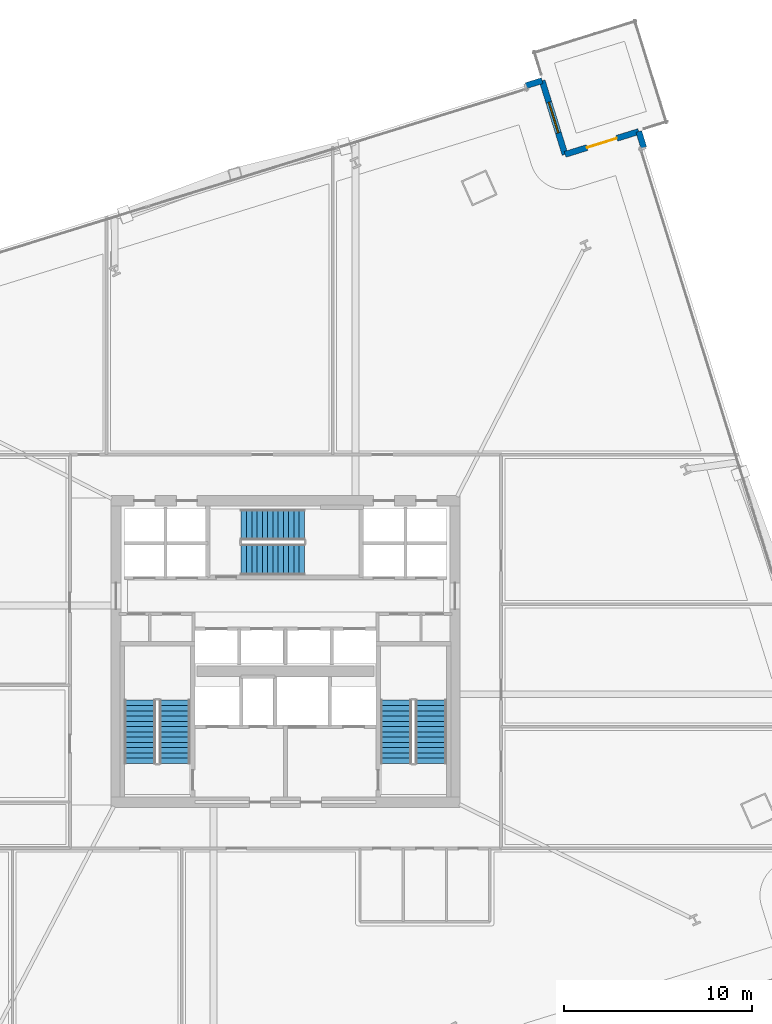
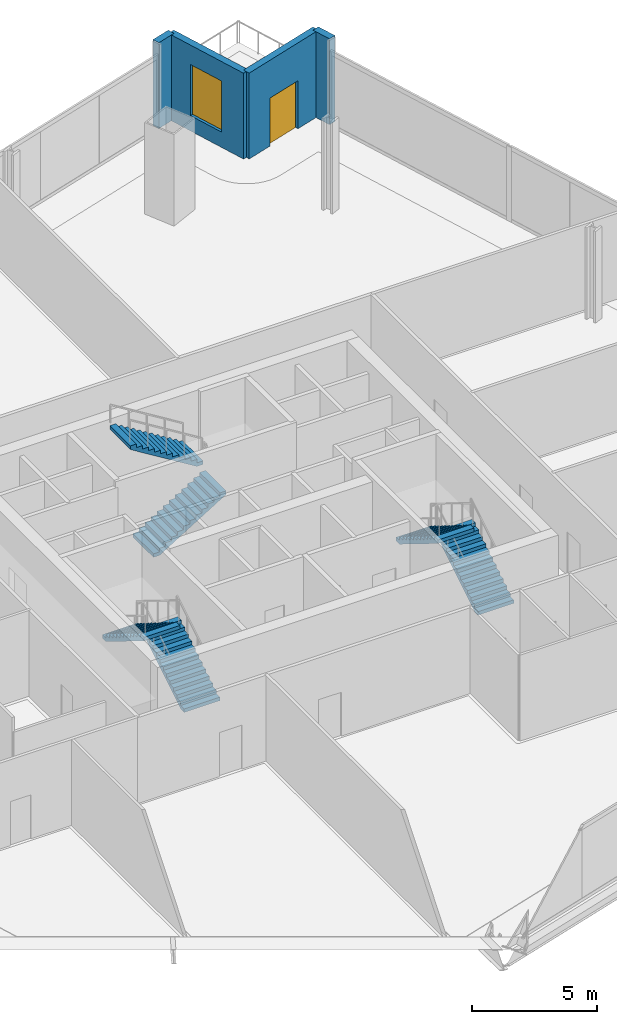
# One storey, part 19 of 26: 6 stair flights, 4 walls, 1 door, 1 window, 2 openings, 3 elements without a shape of their own.
"""IFC4 building model written with IfcOpenShell, lengths in metres."""

from ifc_helpers import new_model, si_unit, direction, frame, frame_2d, origin, place, context, subcontext, project, spatial, polyline, rectangle, outline, extrude, material, layer, layer_set, type_object, element, fill, aggregate, save


model = new_model("IFC4")

# Units and contexts
model_context = context("Model", 3, precision=1e-05, world=origin(), true_north=direction((0.0, 1.0)))
body_context = subcontext(model_context, "Body", "Model", "MODEL_VIEW")
ifc_project = project(units=[si_unit("LENGTHUNIT", "METRE"), si_unit("AREAUNIT", "SQUARE_METRE"), si_unit("VOLUMEUNIT", "CUBIC_METRE"), si_unit("PLANEANGLEUNIT", "RADIAN"), si_unit("MASSUNIT", "GRAM", prefix="KILO")], contexts=[model_context])

# Site, building, storey
site_placement = place(None, origin())
site = spatial("IfcSite", under=ifc_project, at=site_placement, CompositionType="ELEMENT")
building_placement = place(site_placement, origin())
building = spatial("IfcBuilding", under=site, at=building_placement, Name="Haldenkirk Collegiate Tower", CompositionType="ELEMENT")
storey_placement = place(building_placement, frame((0.0, 0.0, 85.949951171875)))
storey = spatial("IfcBuildingStorey", under=building, at=storey_placement, Name="L20", CompositionType="ELEMENT", Elevation=85.949951171875)

# Wall
ifc_material_1 = material(Name="Precast concrete f'c 40 MPa", Category="concrete")
ifc_layer_1 = layer(ifc_material_1, 0.320068359375)
ifc_layer_set_1 = layer_set([ifc_layer_1], Name="Precast concrete f'c 40 MPa")
wall_type = type_object("IfcWallType", Name="WL-EXT-TWR-320", PredefinedType="STANDARD", material=ifc_layer_set_1)
wall_1_placement = place(storey_placement, frame((54.758056640625, 53.60400390625, 0.0), z_axis=(0.0, 0.0, 1.0), x_axis=(0.296544284053, -0.955019103262, 0.0)))
element("IfcWall", 1, at=wall_1_placement, inside=storey, type_object=wall_type, Name="L20 precast corner pier EL", PredefinedType="STANDARD", context=body_context, shape_type="SweptSolid", body=[
    extrude(rectangle(XDim=0.89990234375, YDim=0.320068359375, at=frame_2d((0.449951171875, 0.0))), origin(), (0.0, 0.0, 1.0), 4.199951171875),
])

# Wall, opening, door
wall_2_placement = place(storey_placement, frame((50.84228515625, 52.38818359375, 0.0), z_axis=(0.0, 0.0, 1.0), x_axis=(0.955024023145, 0.296528439134, 0.0)))
wall_2 = element("IfcWall", 2, at=wall_2_placement, inside=storey, type_object=wall_type, Name="L20 bronze precast notch wall 05", PredefinedType="STANDARD", context=body_context, shape_type="SweptSolid", body=[
    extrude(rectangle(XDim=4.10009765625, YDim=0.320068359375, at=frame_2d((2.050048828125, 0.0))), origin(), (0.0, 0.0, 1.0), 4.199951171875),
])
opening_1_placement = place(wall_2_placement, frame((1.22509765625, 0.0, 0.0)))
opening_1 = element("IfcOpeningElement", 3, at=opening_1_placement, cuts=wall_2, Name="Opening D-SG16", PredefinedType="OPENING", context=body_context, shape_type="SweptSolid", body=[
    extrude(rectangle(XDim=1.64990234375, YDim=2.35009765625, at=frame_2d((0.824951171875, 1.175048828125))), frame((0.0, 0.169921875, 0.0), z_axis=(0.0, -1.0, 0.0), x_axis=(1.0, 0.0, 0.0)), (0.0, 0.0, 1.0), 0.340087890625),
])
ifc_material_2 = material(Name="Anodised architectural bronze aluminium", Category="aluminium")
ifc_layer_2 = layer(ifc_material_2, 0.080078125)
ifc_layer_set_2 = layer_set([ifc_layer_2], Name="Anodised architectural bronze aluminium")
door_type = type_object("IfcDoorType", Name="DR-EXT-SGAR-1650", OperationType="NOTDEFINED", PredefinedType="DOOR", material=ifc_layer_set_2)
door_placement = place(opening_1_placement, origin())
door = element("IfcDoor", 4, at=door_placement, inside=storey, type_object=door_type, Name="L20 sky-garden door", OperationType="DOUBLE_DOOR_SINGLE_SWING", OverallHeight=2.35009765625, OverallWidth=1.64990234375, PredefinedType="DOOR", context=body_context, shape_type="SweptSolid", body=[
    extrude(rectangle(XDim=1.64990234375, YDim=2.35009765625, at=frame_2d((0.824951171875, 1.175048828125))), frame((0.0, 0.02490234375, 0.0), z_axis=(0.0, -1.0, 0.0), x_axis=(1.0, 0.0, 0.0)), (0.0, 0.0, 1.0), 0.050048828125),
])
fill(opening_1, door)

# Wall, opening, window
wall_3_placement = place(storey_placement, frame((49.626708984375, 56.303955078125, 0.0), z_axis=(0.0, 0.0, 1.0), x_axis=(0.296474129471, -0.955040884232, 0.0)))
wall_3 = element("IfcWall", 5, at=wall_3_placement, inside=storey, type_object=wall_type, Name="L20 bronze precast notch wall 06", PredefinedType="STANDARD", context=body_context, shape_type="SweptSolid", body=[
    extrude(rectangle(XDim=4.10009765625, YDim=0.320068359375, at=frame_2d((2.050048828125, 0.0))), origin(), (0.0, 0.0, 1.0), 4.199951171875),
])
opening_2_placement = place(wall_3_placement, frame((1.199951171875, 0.0, 0.75)))
opening_2 = element("IfcOpeningElement", 6, at=opening_2_placement, cuts=wall_3, Name="Opening W-09", PredefinedType="OPENING", context=body_context, shape_type="SweptSolid", body=[
    extrude(rectangle(XDim=1.699951171875, YDim=2.5, at=frame_2d((0.85009765625, 1.25))), frame((0.0, 0.169921875, 0.0), z_axis=(0.0, -1.0, 0.0), x_axis=(1.0, 0.0, 0.0)), (0.0, 0.0, 1.0), 0.340087890625),
])
ifc_material_3 = material(Name="Low-E argon triple insulating glass", Category="glass")
ifc_layer_3 = layer(ifc_material_3, 0.090087890625)
ifc_layer_set_3 = layer_set([ifc_layer_3], Name="Low-E argon triple insulating glass")
window_type = type_object("IfcWindowType", Name="WN-SG-1700X2500", PartitioningType="SINGLE_PANEL", PredefinedType="WINDOW", material=ifc_layer_set_3)
window_placement = place(opening_2_placement, origin())
window = element("IfcWindow", 7, at=window_placement, inside=storey, type_object=window_type, Name="L20 precast-frame academic window 5", OverallHeight=2.5, OverallWidth=1.699951171875, PartitioningType="SINGLE_PANEL", PredefinedType="WINDOW", context=body_context, shape_type="SweptSolid", body=[
    extrude(rectangle(XDim=1.699951171875, YDim=2.5, at=frame_2d((0.85009765625, 1.25))), frame((0.0, 0.030029296875, 0.0), z_axis=(0.0, -1.0, 0.0), x_axis=(1.0, 0.0, 0.0)), (0.0, 0.0, 1.0), 0.06005859375),
])
fill(opening_2, window)

# Wall
wall_4_placement = place(storey_placement, frame((48.76708984375, 56.037109375, 0.0), z_axis=(0.0, 0.0, 1.0), x_axis=(0.955042952788, 0.296467465889, 0.0)))
element("IfcWall", 8, at=wall_4_placement, inside=storey, type_object=wall_type, Name="L20 precast corner pier NR", PredefinedType="STANDARD", context=body_context, shape_type="SweptSolid", body=[
    extrude(rectangle(XDim=0.900146484375, YDim=0.320068359375, at=frame_2d((0.4501953125, 0.0))), origin(), (0.0, 0.0, 1.0), 4.199951171875),
])

# Stair, stair flights
ifc_material_4 = material(Name="Concrete f'c 40 MPa", Category="concrete")
stair_type = type_object("IfcStairType", Name="STR-DOGLEG-1650", PredefinedType="HALF_TURN_STAIR", material=ifc_material_4)
stair_1_placement = place(storey_placement, origin())
stair_1 = element("IfcStair", 9, at=stair_1_placement, inside=storey, type_object=stair_type, Name="L20 Core Exit Stair ST-1", PredefinedType="HALF_TURN_STAIR")
stair_flight_type = type_object("IfcStairFlightType", Name="STF-FLIGHT-1650", PredefinedType="STRAIGHT", material=ifc_material_4)
stair_flight_1_placement = place(storey_placement, frame((30.125, 20.050048828125, 0.0), z_axis=(0.0, 0.0, 1.0), x_axis=(0.0, 1.0, 0.0)))
stair_flight_1 = element("IfcStairFlight", 10, at=stair_flight_1_placement, type_object=stair_flight_type, Name="ST-1 flight 1", NumberOfRisers=13, NumberOfTreads=12, PredefinedType="STRAIGHT", RiserHeight=0.173076923, TreadLength=0.28, context=body_context, shape_type="SweptSolid", body=[
    extrude(outline(polyline([(0.0, 0.0), (0.0, 0.173095703125), (0.280029296875, 0.173095703125), (0.280029296875, 0.34619140625), (0.56005859375, 0.34619140625), (0.56005859375, 0.519287109375), (0.840087890625, 0.519287109375), (0.840087890625, 0.6923828125), (1.1201171875, 0.6923828125), (1.1201171875, 0.865478515625), (1.39990234375, 0.865478515625), (1.39990234375, 1.03857421875), (1.679931640625, 1.03857421875), (1.679931640625, 1.21142578125), (1.9599609375, 1.21142578125), (1.9599609375, 1.384521484375), (2.239990234375, 1.384521484375), (2.239990234375, 1.5576171875), (2.52001953125, 1.5576171875), (2.52001953125, 1.730712890625), (2.800048828125, 1.730712890625), (2.800048828125, 1.90380859375), (3.080078125, 1.90380859375), (3.080078125, 2.076904296875), (3.360107421875, 2.076904296875), (3.360107421875, 2.25), (3.360107421875, 1.900634765625), (0.28515625, 0.0), (0.0, 0.0)])), frame((0.0, 0.824951171875, 0.0), z_axis=(0.0, -1.0, 0.0), x_axis=(1.0, 0.0, 0.0)), (0.0, 0.0, 1.0), 1.64990234375),
])
stair_flight_2_placement = place(storey_placement, frame((28.27490234375, 23.409912109375, 2.25), z_axis=(0.0, 0.0, 1.0), x_axis=(0.0, -1.0, 0.0)))
stair_flight_2 = element("IfcStairFlight", 11, at=stair_flight_2_placement, type_object=stair_flight_type, Name="ST-1 flight 2", NumberOfRisers=13, NumberOfTreads=12, PredefinedType="STRAIGHT", RiserHeight=0.173076923, TreadLength=0.28, context=body_context, shape_type="SweptSolid", body=[
    extrude(outline(polyline([(0.0, 0.0), (0.0, 0.173095703125), (0.280029296875, 0.173095703125), (0.280029296875, 0.34619140625), (0.56005859375, 0.34619140625), (0.56005859375, 0.519287109375), (0.840087890625, 0.519287109375), (0.840087890625, 0.6923828125), (1.1201171875, 0.6923828125), (1.1201171875, 0.865478515625), (1.39990234375, 0.865478515625), (1.39990234375, 1.03857421875), (1.679931640625, 1.03857421875), (1.679931640625, 1.21142578125), (1.9599609375, 1.21142578125), (1.9599609375, 1.384521484375), (2.239990234375, 1.384521484375), (2.239990234375, 1.5576171875), (2.52001953125, 1.5576171875), (2.52001953125, 1.730712890625), (2.800048828125, 1.730712890625), (2.800048828125, 1.90380859375), (3.080078125, 1.90380859375), (3.080078125, 2.076904296875), (3.360107421875, 2.076904296875), (3.360107421875, 2.25), (3.360107421875, 1.900634765625), (0.28515625, 0.0), (0.0, 0.0)])), frame((0.0, 0.824951171875, 0.0), z_axis=(0.0, -1.0, 0.0), x_axis=(1.0, 0.0, 0.0)), (0.0, 0.0, 1.0), 1.64990234375),
])
aggregate(stair_1, [stair_flight_1, stair_flight_2])

stair_2_placement = place(storey_placement, origin())
stair_2 = element("IfcStair", 12, at=stair_2_placement, inside=storey, type_object=stair_type, Name="L20 Core Exit Stair ST-2", PredefinedType="HALF_TURN_STAIR")
stair_flight_3_placement = place(storey_placement, frame((43.72509765625, 20.050048828125, 0.0), z_axis=(0.0, 0.0, 1.0), x_axis=(0.0, 1.0, 0.0)))
stair_flight_3 = element("IfcStairFlight", 13, at=stair_flight_3_placement, type_object=stair_flight_type, Name="ST-2 flight 1", NumberOfRisers=13, NumberOfTreads=12, PredefinedType="STRAIGHT", RiserHeight=0.173076923, TreadLength=0.28, context=body_context, shape_type="SweptSolid", body=[
    extrude(outline(polyline([(0.0, 0.0), (0.0, 0.173095703125), (0.280029296875, 0.173095703125), (0.280029296875, 0.34619140625), (0.56005859375, 0.34619140625), (0.56005859375, 0.519287109375), (0.840087890625, 0.519287109375), (0.840087890625, 0.6923828125), (1.1201171875, 0.6923828125), (1.1201171875, 0.865478515625), (1.39990234375, 0.865478515625), (1.39990234375, 1.03857421875), (1.679931640625, 1.03857421875), (1.679931640625, 1.21142578125), (1.9599609375, 1.21142578125), (1.9599609375, 1.384521484375), (2.239990234375, 1.384521484375), (2.239990234375, 1.5576171875), (2.52001953125, 1.5576171875), (2.52001953125, 1.730712890625), (2.800048828125, 1.730712890625), (2.800048828125, 1.90380859375), (3.080078125, 1.90380859375), (3.080078125, 2.076904296875), (3.360107421875, 2.076904296875), (3.360107421875, 2.25), (3.360107421875, 1.900634765625), (0.28515625, 0.0), (0.0, 0.0)])), frame((0.0, 0.824951171875, 0.0), z_axis=(0.0, -1.0, 0.0), x_axis=(1.0, 0.0, 0.0)), (0.0, 0.0, 1.0), 1.64990234375),
])
stair_flight_4_placement = place(storey_placement, frame((41.875, 23.409912109375, 2.25), z_axis=(0.0, 0.0, 1.0), x_axis=(0.0, -1.0, 0.0)))
stair_flight_4 = element("IfcStairFlight", 14, at=stair_flight_4_placement, type_object=stair_flight_type, Name="ST-2 flight 2", NumberOfRisers=13, NumberOfTreads=12, PredefinedType="STRAIGHT", RiserHeight=0.173076923, TreadLength=0.28, context=body_context, shape_type="SweptSolid", body=[
    extrude(outline(polyline([(0.0, 0.0), (0.0, 0.173095703125), (0.280029296875, 0.173095703125), (0.280029296875, 0.34619140625), (0.56005859375, 0.34619140625), (0.56005859375, 0.519287109375), (0.840087890625, 0.519287109375), (0.840087890625, 0.6923828125), (1.1201171875, 0.6923828125), (1.1201171875, 0.865478515625), (1.39990234375, 0.865478515625), (1.39990234375, 1.03857421875), (1.679931640625, 1.03857421875), (1.679931640625, 1.21142578125), (1.9599609375, 1.21142578125), (1.9599609375, 1.384521484375), (2.239990234375, 1.384521484375), (2.239990234375, 1.5576171875), (2.52001953125, 1.5576171875), (2.52001953125, 1.730712890625), (2.800048828125, 1.730712890625), (2.800048828125, 1.90380859375), (3.080078125, 1.90380859375), (3.080078125, 2.076904296875), (3.360107421875, 2.076904296875), (3.360107421875, 2.25), (3.360107421875, 1.900634765625), (0.28515625, 0.0), (0.0, 0.0)])), frame((0.0, 0.824951171875, 0.0), z_axis=(0.0, -1.0, 0.0), x_axis=(1.0, 0.0, 0.0)), (0.0, 0.0, 1.0), 1.64990234375),
])
aggregate(stair_2, [stair_flight_3, stair_flight_4])

stair_3_placement = place(storey_placement, origin())
stair_3 = element("IfcStair", 15, at=stair_3_placement, inside=storey, type_object=stair_type, Name="L20 Core Exit Stair ST-3", PredefinedType="HALF_TURN_STAIR")
stair_flight_5_placement = place(storey_placement, frame((33.64990234375, 30.875, 0.0), z_axis=(0.0, 0.0, 1.0), x_axis=(1.0, 0.0, 0.0)))
stair_flight_5 = element("IfcStairFlight", 16, at=stair_flight_5_placement, type_object=stair_flight_type, Name="ST-3 flight 1", NumberOfRisers=13, NumberOfTreads=12, PredefinedType="STRAIGHT", RiserHeight=0.173076923, TreadLength=0.28, context=body_context, shape_type="SweptSolid", body=[
    extrude(outline(polyline([(0.0, 0.0), (0.0, 0.173095703125), (0.280029296875, 0.173095703125), (0.280029296875, 0.34619140625), (0.56005859375, 0.34619140625), (0.56005859375, 0.519287109375), (0.840087890625, 0.519287109375), (0.840087890625, 0.6923828125), (1.1201171875, 0.6923828125), (1.1201171875, 0.865478515625), (1.39990234375, 0.865478515625), (1.39990234375, 1.03857421875), (1.679931640625, 1.03857421875), (1.679931640625, 1.21142578125), (1.9599609375, 1.21142578125), (1.9599609375, 1.384521484375), (2.239990234375, 1.384521484375), (2.239990234375, 1.5576171875), (2.52001953125, 1.5576171875), (2.52001953125, 1.730712890625), (2.800048828125, 1.730712890625), (2.800048828125, 1.90380859375), (3.080078125, 1.90380859375), (3.080078125, 2.076904296875), (3.360107421875, 2.076904296875), (3.360107421875, 2.25), (3.360107421875, 1.900634765625), (0.28515625, 0.0), (0.0, 0.0)])), frame((0.0, 0.824951171875, 0.0), z_axis=(0.0, -1.0, 0.0), x_axis=(1.0, 0.0, 0.0)), (0.0, 0.0, 1.0), 1.64990234375),
])
stair_flight_6_placement = place(storey_placement, frame((37.010009765625, 32.72509765625, 2.25), z_axis=(0.0, 0.0, 1.0), x_axis=(-1.0, 0.0, 0.0)))
stair_flight_6 = element("IfcStairFlight", 17, at=stair_flight_6_placement, type_object=stair_flight_type, Name="ST-3 flight 2", NumberOfRisers=13, NumberOfTreads=12, PredefinedType="STRAIGHT", RiserHeight=0.173076923, TreadLength=0.28, context=body_context, shape_type="SweptSolid", body=[
    extrude(outline(polyline([(0.0, 0.0), (0.0, 0.173095703125), (0.280029296875, 0.173095703125), (0.280029296875, 0.34619140625), (0.56005859375, 0.34619140625), (0.56005859375, 0.519287109375), (0.840087890625, 0.519287109375), (0.840087890625, 0.6923828125), (1.1201171875, 0.6923828125), (1.1201171875, 0.865478515625), (1.39990234375, 0.865478515625), (1.39990234375, 1.03857421875), (1.679931640625, 1.03857421875), (1.679931640625, 1.21142578125), (1.9599609375, 1.21142578125), (1.9599609375, 1.384521484375), (2.239990234375, 1.384521484375), (2.239990234375, 1.5576171875), (2.52001953125, 1.5576171875), (2.52001953125, 1.730712890625), (2.800048828125, 1.730712890625), (2.800048828125, 1.90380859375), (3.080078125, 1.90380859375), (3.080078125, 2.076904296875), (3.360107421875, 2.076904296875), (3.360107421875, 2.25), (3.360107421875, 1.900634765625), (0.28515625, 0.0), (0.0, 0.0)])), frame((0.0, 0.824951171875, 0.0), z_axis=(0.0, -1.0, 0.0), x_axis=(1.0, 0.0, 0.0)), (0.0, 0.0, 1.0), 1.64990234375),
])
aggregate(stair_3, [stair_flight_5, stair_flight_6])

save(model, "model.ifc")
